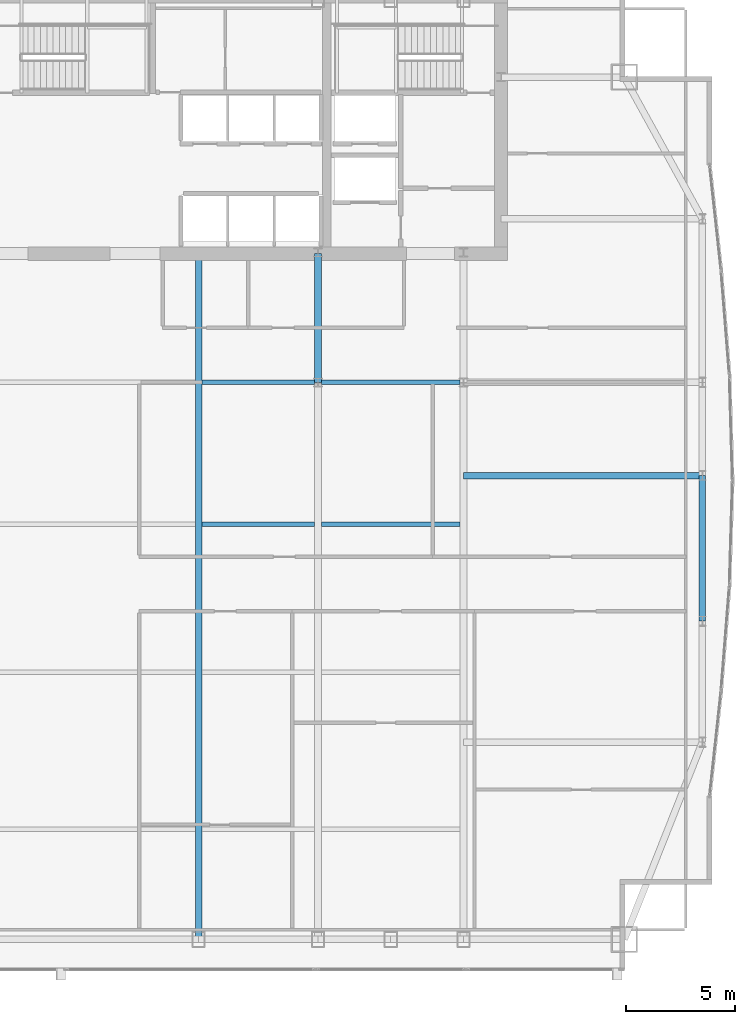
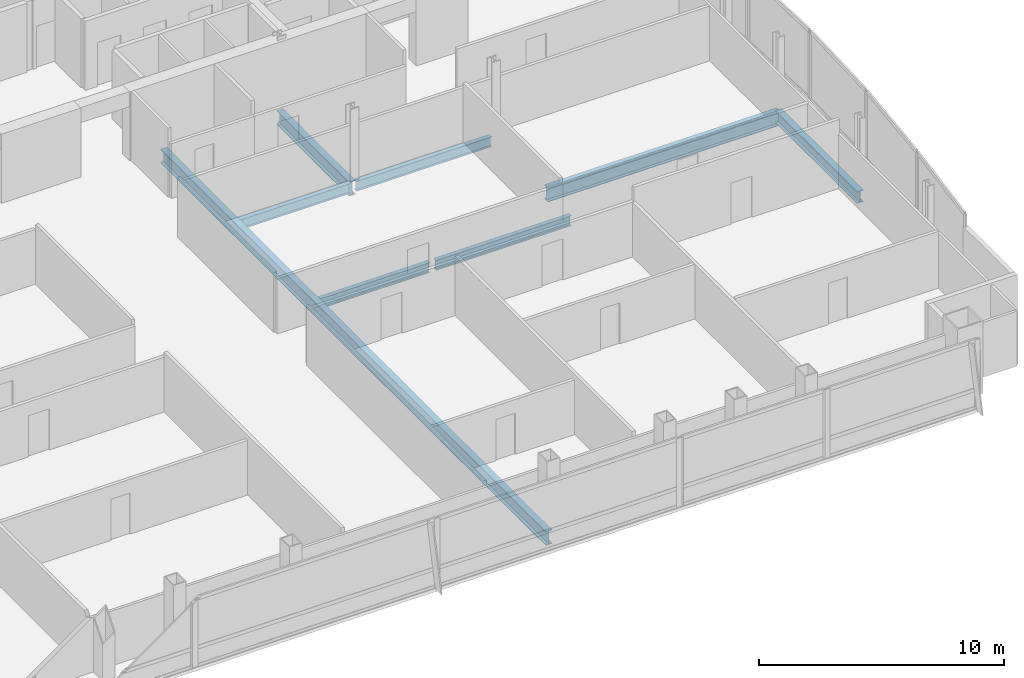
# One storey, part 19 of 32: 8 beams.
"""IFC4 building model written with IfcOpenShell, lengths in metres."""

from ifc_helpers import new_model, si_unit, direction, frame, origin, origin_2d, place, context, subcontext, project, spatial, i_section, extrude, material, material_profile, profile_set, type_object, element, save


model = new_model("IFC4")

# Units and contexts
model_context = context("Model", 3, precision=1e-05, world=origin(), true_north=direction((0.0, 1.0)))
body_context = subcontext(model_context, "Body", "Model", "MODEL_VIEW")
ifc_project = project(units=[si_unit("LENGTHUNIT", "METRE"), si_unit("AREAUNIT", "SQUARE_METRE"), si_unit("VOLUMEUNIT", "CUBIC_METRE"), si_unit("PLANEANGLEUNIT", "RADIAN"), si_unit("MASSUNIT", "GRAM", prefix="KILO")], contexts=[model_context])

# Site, building, storey
site_placement = place(None, origin())
site = spatial("IfcSite", under=ifc_project, at=site_placement, CompositionType="ELEMENT")
building_placement = place(site_placement, origin())
building = spatial("IfcBuilding", under=site, at=building_placement, Name="Khoronbel Lancet Exchange", CompositionType="ELEMENT")
storey_placement = place(building_placement, frame((0.0, 0.0, 192.199951171875)))
storey = spatial("IfcBuildingStorey", under=building, at=storey_placement, Name="L48", CompositionType="ELEMENT", Elevation=192.199951171875)

# Beams
ifc_material = material(Name="Steel S355", Category="steel")
ifc_material_profile_1 = material_profile(ifc_material, i_section(OverallWidth=0.300048828125, OverallDepth=0.699951171875, WebThickness=0.01708984375, FlangeThickness=0.031982421875, at=origin_2d()), Name="HEB 700")
ifc_profile_set_1 = profile_set([ifc_material_profile_1], Name="Steel S355")
beam_type_1 = type_object("IfcBeamType", Name="BM-BG3", PredefinedType="BEAM", material=ifc_profile_set_1)
beam_1_placement = place(storey_placement, frame((42.52490234375, 10.14990234375, -0.510009765625), z_axis=(0.0, 1.0, 0.0), x_axis=(-1.0, 0.0, 0.0)))
element("IfcBeam", 1, at=beam_1_placement, inside=storey, type_object=beam_type_1, Name="Level L48 primary floor girder G4", PredefinedType="BEAM", context=body_context, shape_type="SweptSolid", body=[
    extrude(i_section(OverallWidth=0.300048828125, OverallDepth=0.699951171875, WebThickness=0.01708984375, FlangeThickness=0.031982421875, at=origin_2d()), origin(), (0.0, 0.0, 1.0), 31.4501953125),
])
beam_2_placement = place(storey_placement, frame((48.0, 35.699951171875, -0.510009765625), z_axis=(0.0, 1.0, 0.0), x_axis=(-1.0, 0.0, 0.0)))
element("IfcBeam", 2, at=beam_2_placement, inside=storey, type_object=beam_type_1, Name="Level L48 spine tie girder GN5", PredefinedType="BEAM", context=body_context, shape_type="SweptSolid", body=[
    extrude(i_section(OverallWidth=0.300048828125, OverallDepth=0.699951171875, WebThickness=0.01708984375, FlangeThickness=0.031982421875, at=origin_2d()), origin(), (0.0, 0.0, 1.0), 5.900146484375),
])
beam_3_placement = place(storey_placement, frame((54.675048828125, 31.425048828125, -0.510009765625), z_axis=(1.0, 0.0, 0.0), x_axis=(0.0, 1.0, 0.0)))
element("IfcBeam", 3, at=beam_3_placement, inside=storey, type_object=beam_type_1, Name="Level L48 east lens tie girder LG2E", PredefinedType="BEAM", context=body_context, shape_type="SweptSolid", body=[
    extrude(i_section(OverallWidth=0.300048828125, OverallDepth=0.699951171875, WebThickness=0.01708984375, FlangeThickness=0.031982421875, at=origin_2d()), origin(), (0.0, 0.0, 1.0), 10.954833984375),
])
ifc_material_profile_2 = material_profile(ifc_material, i_section(OverallWidth=0.199951171875, OverallDepth=0.5, WebThickness=0.01025390625, FlangeThickness=0.01611328125, at=origin_2d()), Name="IPE 500")
ifc_profile_set_2 = profile_set([ifc_material_profile_2], Name="Steel S355")
beam_type_2 = type_object("IfcBeamType", Name="BM-BJ3", PredefinedType="JOIST", material=ifc_profile_set_2)
beam_4_placement = place(storey_placement, frame((42.675048828125, 29.199951171875, -0.409912109375), z_axis=(1.0, 0.0, 0.0), x_axis=(0.0, 1.0, 0.0)))
element("IfcBeam", 4, at=beam_4_placement, inside=storey, type_object=beam_type_2, Name="Level L48 secondary composite joist J14", PredefinedType="JOIST", context=body_context, shape_type="SweptSolid", body=[
    extrude(i_section(OverallWidth=0.199951171875, OverallDepth=0.5, WebThickness=0.01025390625, FlangeThickness=0.01611328125, at=origin_2d()), origin(), (0.0, 0.0, 1.0), 5.175048828125),
])
beam_5_placement = place(storey_placement, frame((48.14990234375, 29.199951171875, -0.409912109375), z_axis=(1.0, 0.0, 0.0), x_axis=(0.0, 1.0, 0.0)))
element("IfcBeam", 5, at=beam_5_placement, inside=storey, type_object=beam_type_2, Name="Level L48 secondary composite joist J15", PredefinedType="JOIST", context=body_context, shape_type="SweptSolid", body=[
    extrude(i_section(OverallWidth=0.199951171875, OverallDepth=0.5, WebThickness=0.01025390625, FlangeThickness=0.01611328125, at=origin_2d()), origin(), (0.0, 0.0, 1.0), 6.375),
])
beam_6_placement = place(storey_placement, frame((42.675048828125, 35.699951171875, -0.409912109375), z_axis=(1.0, 0.0, 0.0), x_axis=(0.0, 1.0, 0.0)))
element("IfcBeam", 6, at=beam_6_placement, inside=storey, type_object=beam_type_2, Name="Level L48 secondary composite joist J19", PredefinedType="JOIST", context=body_context, shape_type="SweptSolid", body=[
    extrude(i_section(OverallWidth=0.199951171875, OverallDepth=0.5, WebThickness=0.01025390625, FlangeThickness=0.01611328125, at=origin_2d()), origin(), (0.0, 0.0, 1.0), 5.175048828125),
])
beam_7_placement = place(storey_placement, frame((48.14990234375, 35.699951171875, -0.409912109375), z_axis=(1.0, 0.0, 0.0), x_axis=(0.0, 1.0, 0.0)))
element("IfcBeam", 7, at=beam_7_placement, inside=storey, type_object=beam_type_2, Name="Level L48 secondary composite joist J20", PredefinedType="JOIST", context=body_context, shape_type="SweptSolid", body=[
    extrude(i_section(OverallWidth=0.199951171875, OverallDepth=0.5, WebThickness=0.01025390625, FlangeThickness=0.01611328125, at=origin_2d()), origin(), (0.0, 0.0, 1.0), 6.375),
])
ifc_material_profile_3 = material_profile(ifc_material, i_section(OverallWidth=0.300048828125, OverallDepth=0.60009765625, WebThickness=0.015380859375, FlangeThickness=0.030029296875, at=origin_2d()), Name="HEB 600")
ifc_profile_set_3 = profile_set([ifc_material_profile_3], Name="Steel S355")
beam_type_3 = type_object("IfcBeamType", Name="BM-BSP2", PredefinedType="SPANDREL", material=ifc_profile_set_3)
beam_8_placement = place(storey_placement, frame((65.6298828125, 24.75, -0.4599609375), z_axis=(0.0, 1.0, 0.0), x_axis=(-1.0, 0.0, 0.0)))
element("IfcBeam", 8, at=beam_8_placement, inside=storey, type_object=beam_type_3, Name="Level L48 perimeter spandrel beam SP12", PredefinedType="SPANDREL", context=body_context, shape_type="SweptSolid", body=[
    extrude(i_section(OverallWidth=0.300048828125, OverallDepth=0.60009765625, WebThickness=0.015380859375, FlangeThickness=0.030029296875, at=origin_2d()), origin(), (0.0, 0.0, 1.0), 6.675048828125),
])

save(model, "model.ifc")
